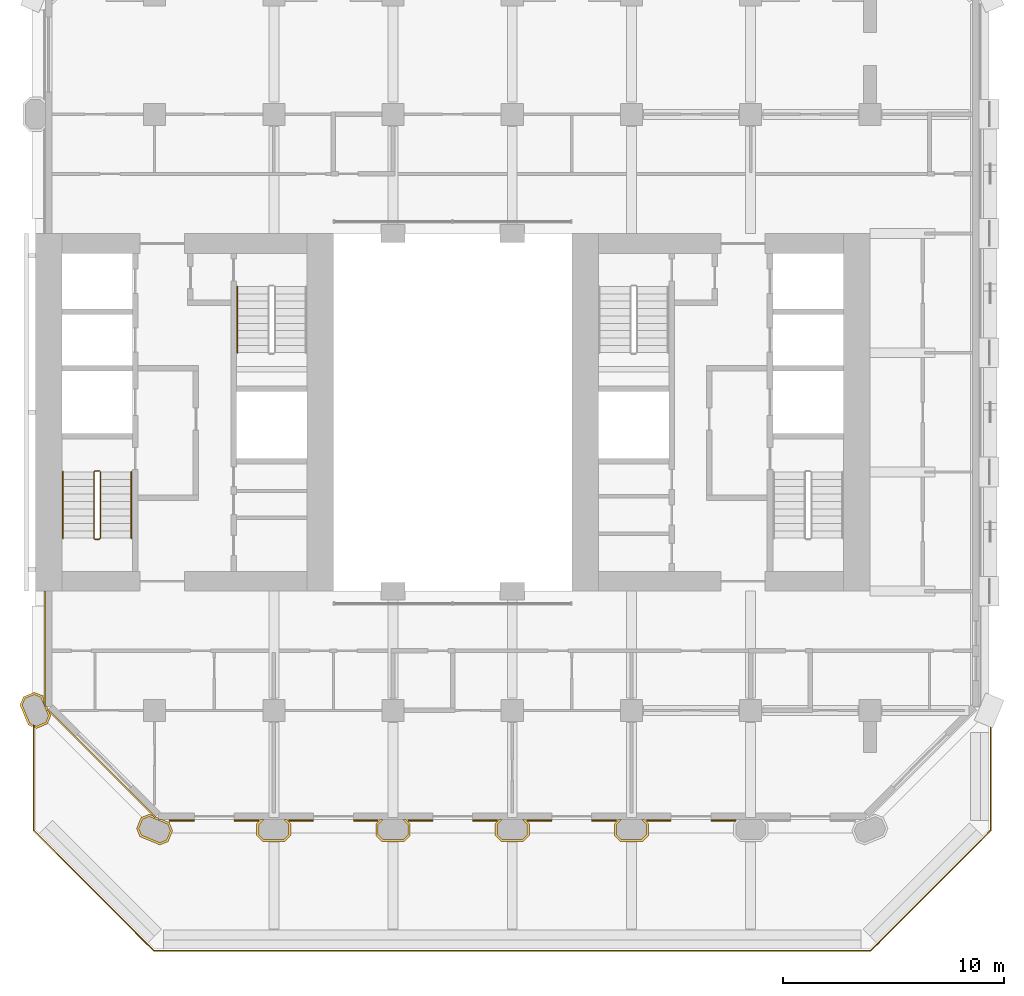
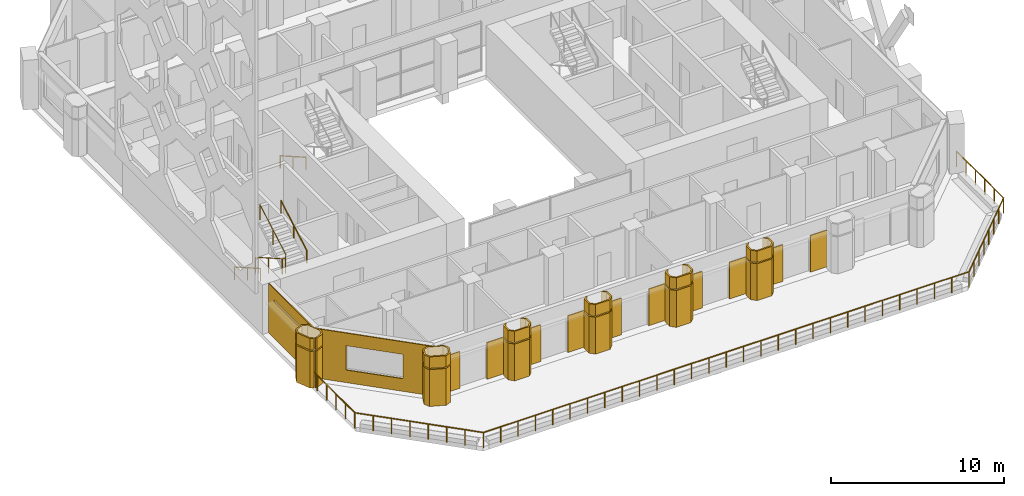
# One storey, part 14 of 16: 24 coverings, 5 railings.
"""IFC4 building model written with IfcOpenShell, lengths in metres."""

import ifcopenshell
import ifcopenshell.guid

model = None  # the IFC model being written
_history = None  # IfcOwnerHistory: only IFC2X3 demands one
_inside = {}  # id of a spatial element -> (the spatial element, [elements in it])
_under = {}  # id of a project, library or spatial element -> (it, [spatial elements below it])
_declared = {}  # id of a project -> (the project, [libraries it declares])
_typed = {}  # id of a type object -> (the type object, [elements of that type])
_made_of = {}  # id of a material, layer set ... -> (it, [elements and type objects made of it])


def new_model(schema):
    """Start an empty IFC model of exactly this schema.

    Asked for "IFC4X3", IfcOpenShell would pick the latest addendum, in which some entities
    have other attributes; the version numbers below select the first issue.
    IFC2X3 requires an IfcOwnerHistory on every rooted entity: one is made here for all.
    """
    global model, _history
    if schema == "IFC4X3":
        model = ifcopenshell.file(schema_version=(4, 3, 0, 0))
    else:
        model = ifcopenshell.file(schema=schema)
    _inside.clear()
    _under.clear()
    _declared.clear()
    _typed.clear()
    _made_of.clear()
    _history = None
    if model.schema == "IFC2X3":
        org = make("IfcOrganization", Name="unknown")
        user = make(
            "IfcPersonAndOrganization",
            ThePerson=make("IfcPerson", FamilyName="unknown"),
            TheOrganization=org,
        )
        app = make(
            "IfcApplication",
            ApplicationDeveloper=org,
            Version="unknown",
            ApplicationFullName="unknown",
            ApplicationIdentifier="unknown",
        )
        _history = make(
            "IfcOwnerHistory",
            OwningUser=user,
            OwningApplication=app,
            ChangeAction="ADDED",
            CreationDate=0,
        )
    return model


def make(cls, **values):
    """One entity of the class cls with the attributes given. An attribute that is None is left unset."""
    return model.create_entity(
        cls, **{name: value for name, value in values.items() if value is not None}
    )


def rooted(cls, **values):
    """An entity with a GlobalId (a new one), such as an element, a storey or a relation."""
    return make(cls, GlobalId=ifcopenshell.guid.new(), OwnerHistory=_history, **values)


def si_unit(unit_type, name, prefix=None):
    """IfcSIUnit, for example si_unit("LENGTHUNIT", "METRE", prefix="MILLI")."""
    return make("IfcSIUnit", UnitType=unit_type, Prefix=prefix, Name=name)


def assignment(units):
    """IfcUnitAssignment: the units of a project."""
    return None if units is None else make("IfcUnitAssignment", Units=units)


def point(xyz):
    """IfcCartesianPoint."""
    return None if xyz is None else make("IfcCartesianPoint", Coordinates=xyz)


def direction(xyz):
    """IfcDirection."""
    return None if xyz is None else make("IfcDirection", DirectionRatios=xyz)


def frame(location, z_axis=None, x_axis=None):
    """IfcAxis2Placement3D, a coordinate frame: its origin and axes. An axis left out is left unset."""
    return make(
        "IfcAxis2Placement3D",
        Location=point(location),
        Axis=direction(z_axis),
        RefDirection=direction(x_axis),
    )


def frame_2d(location, x_axis=None):
    """IfcAxis2Placement2D, a coordinate frame in the plane: its origin and x axis."""
    return make(
        "IfcAxis2Placement2D", Location=point(location), RefDirection=direction(x_axis)
    )


def origin():
    """The frame at (0, 0, 0) with its axes left unset."""
    return frame((0.0, 0.0, 0.0))


def origin_2d():
    """The frame at (0, 0) in the plane with its x axis left unset."""
    return frame_2d((0.0, 0.0))


def place(relative_to, where):
    """IfcLocalPlacement: puts the frame where relative to a parent placement (None: the world)."""
    return make(
        "IfcLocalPlacement", PlacementRelTo=relative_to, RelativePlacement=where
    )


def context(
    kind, dimensions, precision=None, world=None, true_north=None, identifier=None
):
    """IfcGeometricRepresentationContext, for example the 3D "Model" context."""
    return make(
        "IfcGeometricRepresentationContext",
        ContextIdentifier=identifier,
        ContextType=kind,
        CoordinateSpaceDimension=dimensions,
        Precision=precision,
        WorldCoordinateSystem=world,
        TrueNorth=true_north,
    )


def subcontext(parent, identifier, kind, view, scale=None):
    """IfcGeometricRepresentationSubContext, for example "Body" below "Model"."""
    return make(
        "IfcGeometricRepresentationSubContext",
        ContextIdentifier=identifier,
        ContextType=kind,
        ParentContext=parent,
        TargetScale=scale,
        TargetView=view,
    )


def project(units=None, contexts=None):
    """IfcProject with its units and contexts."""
    return rooted(
        "IfcProject",
        Name="project",
        RepresentationContexts=contexts,
        UnitsInContext=assignment(units),
    )


def spatial(cls, under=None, at=None, **own):
    """A site, building, storey or space (cls), placed at a placement, below another one or the project."""
    s = rooted(cls, ObjectPlacement=at, **own)
    if under is not None:
        _under.setdefault(under.id(), (under, []))[1].append(s)
    return s


def polyline(points):
    """IfcPolyline through the points."""
    return make("IfcPolyline", Points=[point(p) for p in points])


def profile(cls, at=None, kind="AREA", **sizes):
    """A parametric profile (cls). Its sizes go by their IFC names, for example OverallWidth=200.0."""
    return make(cls, ProfileType=kind, Position=at, **sizes)


def rectangle(**sizes):
    """IfcRectangleProfileDef."""
    return profile("IfcRectangleProfileDef", **sizes)


def circle(**sizes):
    """IfcCircleProfileDef."""
    return profile("IfcCircleProfileDef", **sizes)


def outline(outer, holes=None, kind="AREA"):
    """IfcArbitraryClosedProfileDef: a profile drawn as a closed curve; with holes, ...WithVoids."""
    if holes is None:
        return make("IfcArbitraryClosedProfileDef", ProfileType=kind, OuterCurve=outer)
    return make(
        "IfcArbitraryProfileDefWithVoids",
        ProfileType=kind,
        OuterCurve=outer,
        InnerCurves=holes,
    )


def extrude(swept, where, along, depth):
    """IfcExtrudedAreaSolid: the profile swept, set in the frame where, extruded along a direction by depth."""
    return make(
        "IfcExtrudedAreaSolid",
        SweptArea=swept,
        Position=where,
        ExtrudedDirection=direction(along),
        Depth=depth,
    )


def shape(context_of_items, identifier, shape_type, items):
    """IfcShapeRepresentation: the items that make up one representation, for example the "Body"."""
    return make(
        "IfcShapeRepresentation",
        ContextOfItems=context_of_items,
        RepresentationIdentifier=identifier,
        RepresentationType=shape_type,
        Items=items,
    )


def material(Name=None, Category=None):
    """IfcMaterial."""
    return make("IfcMaterial", Name=Name, Category=Category)


def layer(
    of_material, thickness, ventilated=None, Name=None, Category=None, Priority=None
):
    """IfcMaterialLayer: one layer of a wall or slab, of a material (None: an air gap)."""
    return make(
        "IfcMaterialLayer",
        Material=of_material,
        LayerThickness=thickness,
        IsVentilated=ventilated,
        Name=Name,
        Category=Category,
        Priority=Priority,
    )


def layer_set(layers, Name=None):
    """IfcMaterialLayerSet."""
    return make("IfcMaterialLayerSet", MaterialLayers=layers, LayerSetName=Name)


def made_of(thing, what):
    """Note that an element or type object is made of a material, layer set ...; save() writes the relation."""
    if what is not None:
        _made_of.setdefault(what.id(), (what, []))[1].append(thing)
    return thing


def type_object(cls, material=None, **own):
    """A type object (cls), such as IfcWallType, which elements share."""
    return made_of(rooted(cls, **own), material)


def element(
    cls,
    number,
    at=None,
    inside=None,
    cuts=None,
    type_object=None,
    material=None,
    context=None,
    identifier="Body",
    shape_type=None,
    held_by="IfcProductDefinitionShape",
    body=None,
    shapes=None,
    **own,
):
    """One element of the class cls, such as IfcWall. Its Tag is "e" and its number.

    at: its placement. inside: the storey or other place that contains it. cuts: it is an
    opening in that element (IfcRelVoidsElement). A single representation is given by context,
    identifier, shape_type and body (its items); several are given by shapes. held_by: the class
    of the entity that holds the representations. save() writes the other relations.
    """
    e = rooted(cls, Tag="e%d" % number, ObjectPlacement=at, **own)
    if body is not None:
        shapes = [shape(context, identifier, shape_type, body)]
    if shapes is not None:
        e.Representation = make(held_by, Representations=shapes)
    if inside is not None:
        _inside.setdefault(inside.id(), (inside, []))[1].append(e)
    if cuts is not None:
        rooted(
            "IfcRelVoidsElement", RelatingBuildingElement=cuts, RelatedOpeningElement=e
        )
    if type_object is not None:
        _typed.setdefault(type_object.id(), (type_object, []))[1].append(e)
    return made_of(e, material)


def aggregate(whole, parts):
    """IfcRelAggregates: a whole, such as a stair, and the parts it consists of."""
    return rooted("IfcRelAggregates", RelatingObject=whole, RelatedObjects=parts)


def save(model, path):
    """Write the relations noted so far, then the file.

    IfcRelAggregates (storeys below a building ...), IfcRelContainedInSpatialStructure (elements
    in a storey), IfcRelDefinesByType, IfcRelAssociatesMaterial and IfcRelDeclares: one each for
    every whole, place, type object, material and project.
    """
    for whole, parts in _under.values():
        aggregate(whole, parts)
    for where, things in _inside.values():
        rooted(
            "IfcRelContainedInSpatialStructure",
            RelatedElements=things,
            RelatingStructure=where,
        )
    for kind, things in _typed.values():
        rooted("IfcRelDefinesByType", RelatedObjects=things, RelatingType=kind)
    for what, things in _made_of.values():
        rooted("IfcRelAssociatesMaterial", RelatedObjects=things, RelatingMaterial=what)
    for by, libraries in _declared.values():
        rooted("IfcRelDeclares", RelatingContext=by, RelatedDefinitions=libraries)
    model.write(path)


model = new_model("IFC4")

# Units and contexts
model_context = context("Model", 3, precision=1e-05, world=origin(), true_north=direction((0.0, 1.0)))
body_context = subcontext(model_context, "Body", "Model", "MODEL_VIEW")
ifc_project = project(units=[si_unit("LENGTHUNIT", "METRE"), si_unit("AREAUNIT", "SQUARE_METRE"), si_unit("VOLUMEUNIT", "CUBIC_METRE"), si_unit("PLANEANGLEUNIT", "RADIAN"), si_unit("MASSUNIT", "GRAM", prefix="KILO")], contexts=[model_context])

# Site, building, storey
site_placement = place(None, origin())
site = spatial("IfcSite", under=ifc_project, at=site_placement, CompositionType="ELEMENT")
building_placement = place(site_placement, origin())
building = spatial("IfcBuilding", under=site, at=building_placement, Name="Tabaq Tower and Sports Hall", CompositionType="ELEMENT")
storey_placement = place(building_placement, frame((0.0, 0.0, 65.0)))
storey = spatial("IfcBuildingStorey", under=building, at=storey_placement, Name="L14", CompositionType="ELEMENT", Elevation=65.0)

# Coverings
ifc_material_1 = material(Name="Precast concrete C60/75", Category="concrete")
ifc_layer_1 = layer(ifc_material_1, 0.10009765625)
ifc_layer_set_1 = layer_set([ifc_layer_1], Name="Column cladding 100")
covering_type_1 = type_object("IfcCoveringType", Name="Column cladding 100", PredefinedType="CLADDING", material=ifc_layer_set_1)
covering_1_placement = place(storey_placement, origin())
element("IfcCovering", 1, at=covering_1_placement, inside=storey, type_object=covering_type_1, Name="Column cladding L14 PC-2C-O2", PredefinedType="CLADDING", context=body_context, shape_type="SweptSolid", body=[
    extrude(outline(polyline([(5.450439453125, 9.982421875), (5.3603515625, 10.019775390625), (5.3603515625, 10.127197265625), (5.450439453125, 10.08984375), (5.866455078125, 10.26220703125), (5.98828125, 10.556396484375), (5.643798828125, 11.38818359375), (5.349609375, 11.510009765625), (4.93359375, 11.337646484375), (4.811767578125, 11.04345703125), (5.15625, 10.2119140625), (5.27978515625, 10.16064453125), (5.27978515625, 10.052978515625), (5.080078125, 10.1357421875), (4.7041015625, 11.04345703125), (4.857421875, 11.413818359375), (5.349609375, 11.61767578125), (5.7197265625, 11.46435546875), (5.789794921875, 11.295654296875), (5.789794921875, 11.04296875), (5.849609375, 11.04296875), (5.849609375, 10.986083984375), (5.91796875, 10.986083984375), (5.9814453125, 10.83251953125), (5.9501953125, 10.801025390625), (6.026123046875, 10.72509765625), (6.095947265625, 10.556396484375), (5.9423828125, 10.186279296875), (5.450439453125, 9.982421875)])), origin(), (0.0, 0.0, 1.0), 2.60009765625),
])
covering_2_placement = place(storey_placement, frame((0.0, 0.0, 2.699951171875)))
element("IfcCovering", 2, at=covering_2_placement, inside=storey, type_object=covering_type_1, Name="Column cladding L14 PC-2C-O2 2", PredefinedType="CLADDING", context=body_context, shape_type="SweptSolid", body=[
    extrude(outline(polyline([(5.450439453125, 9.982421875), (5.3603515625, 10.019775390625), (5.3603515625, 10.127197265625), (5.450439453125, 10.08984375), (5.866455078125, 10.26220703125), (5.98828125, 10.556396484375), (5.643798828125, 11.38818359375), (5.349609375, 11.510009765625), (4.93359375, 11.337646484375), (4.811767578125, 11.04345703125), (5.15625, 10.2119140625), (5.27978515625, 10.16064453125), (5.27978515625, 10.052978515625), (5.080078125, 10.1357421875), (4.7041015625, 11.04345703125), (4.857421875, 11.413818359375), (5.349609375, 11.61767578125), (5.7197265625, 11.46435546875), (5.789794921875, 11.295654296875), (5.789794921875, 11.04296875), (5.849609375, 11.04296875), (5.849609375, 10.986083984375), (5.91796875, 10.986083984375), (5.9814453125, 10.83251953125), (5.9501953125, 10.801025390625), (6.026123046875, 10.72509765625), (6.095947265625, 10.556396484375), (5.9423828125, 10.186279296875), (5.450439453125, 9.982421875)])), origin(), (0.0, 0.0, 1.0), 0.800048828125),
])
covering_3_placement = place(storey_placement, origin())
element("IfcCovering", 3, at=covering_3_placement, inside=storey, type_object=covering_type_1, Name="Column cladding L14 PC-3B-O2", PredefinedType="CLADDING", context=body_context, shape_type="SweptSolid", body=[
    extrude(outline(polyline([(11.413818359375, 4.857421875), (11.04345703125, 4.7041015625), (10.1357421875, 5.080078125), (9.982421875, 5.450439453125), (10.186279296875, 5.9423828125), (10.556396484375, 6.095947265625), (10.72509765625, 6.026123046875), (10.801025390625, 5.9501953125), (10.83251953125, 5.9814453125), (10.986083984375, 5.91796875), (10.986083984375, 5.849609375), (11.15087890625, 5.849609375), (11.46435546875, 5.7197265625), (11.61767578125, 5.349609375), (11.413818359375, 4.857421875)]), holes=[polyline([(10.26220703125, 5.866455078125), (10.08984375, 5.450439453125), (10.2119140625, 5.15625), (11.04345703125, 4.811767578125), (11.337646484375, 4.93359375), (11.510009765625, 5.349609375), (11.38818359375, 5.643798828125), (10.556396484375, 5.98828125), (10.26220703125, 5.866455078125)])]), origin(), (0.0, 0.0, 1.0), 2.60009765625),
])
covering_4_placement = place(storey_placement, frame((0.0, 0.0, 2.699951171875)))
element("IfcCovering", 4, at=covering_4_placement, inside=storey, type_object=covering_type_1, Name="Column cladding L14 PC-3B-O2 2", PredefinedType="CLADDING", context=body_context, shape_type="SweptSolid", body=[
    extrude(outline(polyline([(11.413818359375, 4.857421875), (11.04345703125, 4.7041015625), (10.1357421875, 5.080078125), (9.982421875, 5.450439453125), (10.186279296875, 5.9423828125), (10.556396484375, 6.095947265625), (10.72509765625, 6.026123046875), (10.801025390625, 5.9501953125), (10.83251953125, 5.9814453125), (10.986083984375, 5.91796875), (10.986083984375, 5.849609375), (11.15087890625, 5.849609375), (11.46435546875, 5.7197265625), (11.61767578125, 5.349609375), (11.413818359375, 4.857421875)]), holes=[polyline([(10.26220703125, 5.866455078125), (10.08984375, 5.450439453125), (10.2119140625, 5.15625), (11.04345703125, 4.811767578125), (11.337646484375, 4.93359375), (11.510009765625, 5.349609375), (11.38818359375, 5.643798828125), (10.556396484375, 5.98828125), (10.26220703125, 5.866455078125)])]), origin(), (0.0, 0.0, 1.0), 0.800048828125),
])
covering_5_placement = place(storey_placement, origin())
element("IfcCovering", 5, at=covering_5_placement, inside=storey, type_object=covering_type_1, Name="Column cladding L14 PC-4B-O2", PredefinedType="CLADDING", context=body_context, shape_type="SweptSolid", body=[
    extrude(outline(polyline([(15.42529296875, 5.666259765625), (15.608642578125, 5.849609375), (15.749267578125, 5.849609375), (15.524658203125, 5.625244140625), (15.524658203125, 5.1748046875), (15.749755859375, 4.94970703125), (16.650146484375, 4.94970703125), (16.875244140625, 5.1748046875), (16.875244140625, 5.625244140625), (16.650634765625, 5.849609375), (16.791259765625, 5.849609375), (16.974609375, 5.666259765625), (16.974609375, 5.1337890625), (16.69140625, 4.850341796875), (15.708740234375, 4.850341796875), (15.42529296875, 5.1337890625), (15.42529296875, 5.666259765625)])), origin(), (0.0, 0.0, 1.0), 2.60009765625),
])
covering_6_placement = place(storey_placement, frame((0.0, 0.0, 2.699951171875)))
element("IfcCovering", 6, at=covering_6_placement, inside=storey, type_object=covering_type_1, Name="Column cladding L14 PC-4B-O2 2", PredefinedType="CLADDING", context=body_context, shape_type="SweptSolid", body=[
    extrude(outline(polyline([(15.42529296875, 5.666259765625), (15.608642578125, 5.849609375), (15.749267578125, 5.849609375), (15.524658203125, 5.625244140625), (15.524658203125, 5.1748046875), (15.749755859375, 4.94970703125), (16.650146484375, 4.94970703125), (16.875244140625, 5.1748046875), (16.875244140625, 5.625244140625), (16.650634765625, 5.849609375), (16.791259765625, 5.849609375), (16.974609375, 5.666259765625), (16.974609375, 5.1337890625), (16.69140625, 4.850341796875), (15.708740234375, 4.850341796875), (15.42529296875, 5.1337890625), (15.42529296875, 5.666259765625)])), origin(), (0.0, 0.0, 1.0), 0.800048828125),
])
covering_7_placement = place(storey_placement, origin())
element("IfcCovering", 7, at=covering_7_placement, inside=storey, type_object=covering_type_1, Name="Column cladding L14 PC-5B-O2", PredefinedType="CLADDING", context=body_context, shape_type="SweptSolid", body=[
    extrude(outline(polyline([(20.8251953125, 5.666259765625), (21.0087890625, 5.849609375), (21.149169921875, 5.849609375), (20.9248046875, 5.625244140625), (20.9248046875, 5.1748046875), (21.14990234375, 4.94970703125), (22.050048828125, 4.94970703125), (22.275390625, 5.1748046875), (22.275390625, 5.625244140625), (22.05078125, 5.849609375), (22.19140625, 5.849609375), (22.374755859375, 5.666259765625), (22.374755859375, 5.1337890625), (22.09130859375, 4.850341796875), (21.108642578125, 4.850341796875), (20.8251953125, 5.1337890625), (20.8251953125, 5.666259765625)])), origin(), (0.0, 0.0, 1.0), 2.60009765625),
])
covering_8_placement = place(storey_placement, frame((0.0, 0.0, 2.699951171875)))
element("IfcCovering", 8, at=covering_8_placement, inside=storey, type_object=covering_type_1, Name="Column cladding L14 PC-5B-O2 2", PredefinedType="CLADDING", context=body_context, shape_type="SweptSolid", body=[
    extrude(outline(polyline([(20.8251953125, 5.666259765625), (21.0087890625, 5.849609375), (21.149169921875, 5.849609375), (20.9248046875, 5.625244140625), (20.9248046875, 5.1748046875), (21.14990234375, 4.94970703125), (22.050048828125, 4.94970703125), (22.275390625, 5.1748046875), (22.275390625, 5.625244140625), (22.05078125, 5.849609375), (22.19140625, 5.849609375), (22.374755859375, 5.666259765625), (22.374755859375, 5.1337890625), (22.09130859375, 4.850341796875), (21.108642578125, 4.850341796875), (20.8251953125, 5.1337890625), (20.8251953125, 5.666259765625)])), origin(), (0.0, 0.0, 1.0), 0.800048828125),
])
covering_9_placement = place(storey_placement, origin())
element("IfcCovering", 9, at=covering_9_placement, inside=storey, type_object=covering_type_1, Name="Column cladding L14 PC-6B-O2", PredefinedType="CLADDING", context=body_context, shape_type="SweptSolid", body=[
    extrude(outline(polyline([(26.225341796875, 5.666259765625), (26.40869140625, 5.849609375), (26.54931640625, 5.849609375), (26.32470703125, 5.625244140625), (26.32470703125, 5.1748046875), (26.5498046875, 4.94970703125), (27.4501953125, 4.94970703125), (27.67529296875, 5.1748046875), (27.67529296875, 5.625244140625), (27.45068359375, 5.849609375), (27.59130859375, 5.849609375), (27.774658203125, 5.666259765625), (27.774658203125, 5.1337890625), (27.4912109375, 4.850341796875), (26.5087890625, 4.850341796875), (26.225341796875, 5.1337890625), (26.225341796875, 5.666259765625)])), origin(), (0.0, 0.0, 1.0), 2.60009765625),
])
covering_10_placement = place(storey_placement, frame((0.0, 0.0, 2.699951171875)))
element("IfcCovering", 10, at=covering_10_placement, inside=storey, type_object=covering_type_1, Name="Column cladding L14 PC-6B-O2 2", PredefinedType="CLADDING", context=body_context, shape_type="SweptSolid", body=[
    extrude(outline(polyline([(26.225341796875, 5.666259765625), (26.40869140625, 5.849609375), (26.54931640625, 5.849609375), (26.32470703125, 5.625244140625), (26.32470703125, 5.1748046875), (26.5498046875, 4.94970703125), (27.4501953125, 4.94970703125), (27.67529296875, 5.1748046875), (27.67529296875, 5.625244140625), (27.45068359375, 5.849609375), (27.59130859375, 5.849609375), (27.774658203125, 5.666259765625), (27.774658203125, 5.1337890625), (27.4912109375, 4.850341796875), (26.5087890625, 4.850341796875), (26.225341796875, 5.1337890625), (26.225341796875, 5.666259765625)])), origin(), (0.0, 0.0, 1.0), 0.800048828125),
])
covering_11_placement = place(storey_placement, origin())
element("IfcCovering", 11, at=covering_11_placement, inside=storey, type_object=covering_type_1, Name="Column cladding L14 PC-7B-O2", PredefinedType="CLADDING", context=body_context, shape_type="SweptSolid", body=[
    extrude(outline(polyline([(31.625244140625, 5.666259765625), (31.80859375, 5.849609375), (31.94921875, 5.849609375), (31.724609375, 5.625244140625), (31.724609375, 5.1748046875), (31.949951171875, 4.94970703125), (32.85009765625, 4.94970703125), (33.0751953125, 5.1748046875), (33.0751953125, 5.625244140625), (32.850830078125, 5.849609375), (32.9912109375, 5.849609375), (33.1748046875, 5.666259765625), (33.1748046875, 5.1337890625), (32.891357421875, 4.850341796875), (31.90869140625, 4.850341796875), (31.625244140625, 5.1337890625), (31.625244140625, 5.666259765625)])), origin(), (0.0, 0.0, 1.0), 2.60009765625),
])
covering_12_placement = place(storey_placement, frame((0.0, 0.0, 2.699951171875)))
element("IfcCovering", 12, at=covering_12_placement, inside=storey, type_object=covering_type_1, Name="Column cladding L14 PC-7B-O2 2", PredefinedType="CLADDING", context=body_context, shape_type="SweptSolid", body=[
    extrude(outline(polyline([(31.625244140625, 5.666259765625), (31.80859375, 5.849609375), (31.94921875, 5.849609375), (31.724609375, 5.625244140625), (31.724609375, 5.1748046875), (31.949951171875, 4.94970703125), (32.85009765625, 4.94970703125), (33.0751953125, 5.1748046875), (33.0751953125, 5.625244140625), (32.850830078125, 5.849609375), (32.9912109375, 5.849609375), (33.1748046875, 5.666259765625), (33.1748046875, 5.1337890625), (32.891357421875, 4.850341796875), (31.90869140625, 4.850341796875), (31.625244140625, 5.1337890625), (31.625244140625, 5.666259765625)])), origin(), (0.0, 0.0, 1.0), 0.800048828125),
])

# Railings
ifc_material_2 = material(Name="Stainless steel S316 and laminated glass", Category="steel")
railing_type_1 = type_object("IfcRailingType", Name="Guard 1100 steel and glass", PredefinedType="GUARDRAIL", material=ifc_material_2)
railing_1_placement = place(storey_placement, frame((48.679931640625, 10.800048828125, 0.0)))
element("IfcRailing", 13, at=railing_1_placement, inside=storey, type_object=railing_type_1, Name="Terrace guard L14", PredefinedType="GUARDRAIL", context=body_context, shape_type="SweptSolid", body=[
    extrude(circle(Radius=0.02490234375, at=origin_2d()), frame((0.0, 0.0, 1.0751953125), z_axis=(0.0, -1.0, 0.0), x_axis=(1.0, 0.0, 0.0)), (0.0, 0.0, 1.0), 5.43310546875),
    extrude(circle(Radius=0.02490234375, at=origin_2d()), frame((0.0, -5.43310546875, 1.0751953125), z_axis=(-0.707090934058, -0.70712262796, 0.0), x_axis=(0.70712262796, -0.707090934058, 0.0)), (0.0, 0.0, 1.0), 7.703125),
    extrude(circle(Radius=0.02490234375, at=origin_2d()), frame((-5.44677734375, -10.880126953125, 1.0751953125), z_axis=(-1.0, 0.0, 0.0), x_axis=(0.0, -1.0, 0.0)), (0.0, 0.0, 1.0), 32.46630859375),
    extrude(circle(Radius=0.02490234375, at=origin_2d()), frame((-37.9130859375, -10.880126953125, 1.0751953125), z_axis=(-0.707090934058, 0.70712262796, 0.0), x_axis=(-0.70712262796, -0.707090934058, 0.0)), (0.0, 0.0, 1.0), 7.703125),
    extrude(circle(Radius=0.02490234375, at=origin_2d()), frame((-43.35986328125, -5.43310546875, 1.0751953125), z_axis=(0.0, 1.0, 0.0), x_axis=(-1.0, 0.0, 0.0)), (0.0, 0.0, 1.0), 5.43310546875),
    extrude(circle(Radius=0.02001953125, at=origin_2d()), origin(), (0.0, 0.0, 1.0), 1.050048828125),
    extrude(circle(Radius=0.02001953125, at=origin_2d()), frame((0.0, -1.086669921875, 0.0)), (0.0, 0.0, 1.0), 1.050048828125),
    extrude(circle(Radius=0.02001953125, at=origin_2d()), frame((0.0, -2.17333984375, 0.0)), (0.0, 0.0, 1.0), 1.050048828125),
    extrude(circle(Radius=0.02001953125, at=origin_2d()), frame((0.0, -3.259765625, 0.0)), (0.0, 0.0, 1.0), 1.050048828125),
    extrude(circle(Radius=0.02001953125, at=origin_2d()), frame((0.0, -4.346435546875, 0.0)), (0.0, 0.0, 1.0), 1.050048828125),
    extrude(circle(Radius=0.02001953125, at=origin_2d()), frame((0.0, -5.43310546875, 0.0)), (0.0, 0.0, 1.0), 1.050048828125),
    extrude(circle(Radius=0.02001953125, at=origin_2d()), frame((-0.778076171875, -6.211181640625, 0.0)), (0.0, 0.0, 1.0), 1.050048828125),
    extrude(circle(Radius=0.02001953125, at=origin_2d()), frame((-1.55615234375, -6.989501953125, 0.0)), (0.0, 0.0, 1.0), 1.050048828125),
    extrude(circle(Radius=0.02001953125, at=origin_2d()), frame((-2.334228515625, -7.767578125, 0.0)), (0.0, 0.0, 1.0), 1.050048828125),
    extrude(circle(Radius=0.02001953125, at=origin_2d()), frame((-3.112548828125, -8.545654296875, 0.0)), (0.0, 0.0, 1.0), 1.050048828125),
    extrude(circle(Radius=0.02001953125, at=origin_2d()), frame((-3.890625, -9.32373046875, 0.0)), (0.0, 0.0, 1.0), 1.050048828125),
    extrude(circle(Radius=0.02001953125, at=origin_2d()), frame((-4.668701171875, -10.10205078125, 0.0)), (0.0, 0.0, 1.0), 1.050048828125),
    extrude(circle(Radius=0.02001953125, at=origin_2d()), frame((-5.44677734375, -10.880126953125, 0.0)), (0.0, 0.0, 1.0), 1.050048828125),
    extrude(circle(Radius=0.02001953125, at=origin_2d()), frame((-6.606201171875, -10.880126953125, 0.0)), (0.0, 0.0, 1.0), 1.050048828125),
    extrude(circle(Radius=0.02001953125, at=origin_2d()), frame((-7.765869140625, -10.880126953125, 0.0)), (0.0, 0.0, 1.0), 1.050048828125),
    extrude(circle(Radius=0.02001953125, at=origin_2d()), frame((-8.92529296875, -10.880126953125, 0.0)), (0.0, 0.0, 1.0), 1.050048828125),
    extrude(circle(Radius=0.02001953125, at=origin_2d()), frame((-10.084716796875, -10.880126953125, 0.0)), (0.0, 0.0, 1.0), 1.050048828125),
    extrude(circle(Radius=0.02001953125, at=origin_2d()), frame((-11.244384765625, -10.880126953125, 0.0)), (0.0, 0.0, 1.0), 1.050048828125),
    extrude(circle(Radius=0.02001953125, at=origin_2d()), frame((-12.40380859375, -10.880126953125, 0.0)), (0.0, 0.0, 1.0), 1.050048828125),
    extrude(circle(Radius=0.02001953125, at=origin_2d()), frame((-13.5634765625, -10.880126953125, 0.0)), (0.0, 0.0, 1.0), 1.050048828125),
    extrude(circle(Radius=0.02001953125, at=origin_2d()), frame((-14.722900390625, -10.880126953125, 0.0)), (0.0, 0.0, 1.0), 1.050048828125),
    extrude(circle(Radius=0.02001953125, at=origin_2d()), frame((-15.88232421875, -10.880126953125, 0.0)), (0.0, 0.0, 1.0), 1.050048828125),
    extrude(circle(Radius=0.02001953125, at=origin_2d()), frame((-17.0419921875, -10.880126953125, 0.0)), (0.0, 0.0, 1.0), 1.050048828125),
    extrude(circle(Radius=0.02001953125, at=origin_2d()), frame((-18.201416015625, -10.880126953125, 0.0)), (0.0, 0.0, 1.0), 1.050048828125),
    extrude(circle(Radius=0.02001953125, at=origin_2d()), frame((-19.36083984375, -10.880126953125, 0.0)), (0.0, 0.0, 1.0), 1.050048828125),
    extrude(circle(Radius=0.02001953125, at=origin_2d()), frame((-20.5205078125, -10.880126953125, 0.0)), (0.0, 0.0, 1.0), 1.050048828125),
    extrude(circle(Radius=0.02001953125, at=origin_2d()), frame((-21.679931640625, -10.880126953125, 0.0)), (0.0, 0.0, 1.0), 1.050048828125),
    extrude(circle(Radius=0.02001953125, at=origin_2d()), frame((-22.83935546875, -10.880126953125, 0.0)), (0.0, 0.0, 1.0), 1.050048828125),
    extrude(circle(Radius=0.02001953125, at=origin_2d()), frame((-23.9990234375, -10.880126953125, 0.0)), (0.0, 0.0, 1.0), 1.050048828125),
    extrude(circle(Radius=0.02001953125, at=origin_2d()), frame((-25.158447265625, -10.880126953125, 0.0)), (0.0, 0.0, 1.0), 1.050048828125),
    extrude(circle(Radius=0.02001953125, at=origin_2d()), frame((-26.31787109375, -10.880126953125, 0.0)), (0.0, 0.0, 1.0), 1.050048828125),
    extrude(circle(Radius=0.02001953125, at=origin_2d()), frame((-27.4775390625, -10.880126953125, 0.0)), (0.0, 0.0, 1.0), 1.050048828125),
    extrude(circle(Radius=0.02001953125, at=origin_2d()), frame((-28.636962890625, -10.880126953125, 0.0)), (0.0, 0.0, 1.0), 1.050048828125),
    extrude(circle(Radius=0.02001953125, at=origin_2d()), frame((-29.79638671875, -10.880126953125, 0.0)), (0.0, 0.0, 1.0), 1.050048828125),
    extrude(circle(Radius=0.02001953125, at=origin_2d()), frame((-30.9560546875, -10.880126953125, 0.0)), (0.0, 0.0, 1.0), 1.050048828125),
    extrude(circle(Radius=0.02001953125, at=origin_2d()), frame((-32.115478515625, -10.880126953125, 0.0)), (0.0, 0.0, 1.0), 1.050048828125),
    extrude(circle(Radius=0.02001953125, at=origin_2d()), frame((-33.275146484375, -10.880126953125, 0.0)), (0.0, 0.0, 1.0), 1.050048828125),
    extrude(circle(Radius=0.02001953125, at=origin_2d()), frame((-34.4345703125, -10.880126953125, 0.0)), (0.0, 0.0, 1.0), 1.050048828125),
    extrude(circle(Radius=0.02001953125, at=origin_2d()), frame((-35.593994140625, -10.880126953125, 0.0)), (0.0, 0.0, 1.0), 1.050048828125),
    extrude(circle(Radius=0.02001953125, at=origin_2d()), frame((-36.753662109375, -10.880126953125, 0.0)), (0.0, 0.0, 1.0), 1.050048828125),
    extrude(circle(Radius=0.02001953125, at=origin_2d()), frame((-37.9130859375, -10.880126953125, 0.0)), (0.0, 0.0, 1.0), 1.050048828125),
    extrude(circle(Radius=0.02001953125, at=origin_2d()), frame((-38.691162109375, -10.10205078125, 0.0)), (0.0, 0.0, 1.0), 1.050048828125),
    extrude(circle(Radius=0.02001953125, at=origin_2d()), frame((-39.46923828125, -9.32373046875, 0.0)), (0.0, 0.0, 1.0), 1.050048828125),
    extrude(circle(Radius=0.02001953125, at=origin_2d()), frame((-40.247314453125, -8.545654296875, 0.0)), (0.0, 0.0, 1.0), 1.050048828125),
    extrude(circle(Radius=0.02001953125, at=origin_2d()), frame((-41.025634765625, -7.767578125, 0.0)), (0.0, 0.0, 1.0), 1.050048828125),
    extrude(circle(Radius=0.02001953125, at=origin_2d()), frame((-41.8037109375, -6.989501953125, 0.0)), (0.0, 0.0, 1.0), 1.050048828125),
    extrude(circle(Radius=0.02001953125, at=origin_2d()), frame((-42.581787109375, -6.211181640625, 0.0)), (0.0, 0.0, 1.0), 1.050048828125),
    extrude(circle(Radius=0.02001953125, at=origin_2d()), frame((-43.35986328125, -5.43310546875, 0.0)), (0.0, 0.0, 1.0), 1.050048828125),
    extrude(circle(Radius=0.02001953125, at=origin_2d()), frame((-43.35986328125, -4.346435546875, 0.0)), (0.0, 0.0, 1.0), 1.050048828125),
    extrude(circle(Radius=0.02001953125, at=origin_2d()), frame((-43.35986328125, -3.259765625, 0.0)), (0.0, 0.0, 1.0), 1.050048828125),
    extrude(circle(Radius=0.02001953125, at=origin_2d()), frame((-43.35986328125, -2.17333984375, 0.0)), (0.0, 0.0, 1.0), 1.050048828125),
    extrude(circle(Radius=0.02001953125, at=origin_2d()), frame((-43.35986328125, -1.086669921875, 0.0)), (0.0, 0.0, 1.0), 1.050048828125),
    extrude(circle(Radius=0.02001953125, at=origin_2d()), frame((-43.35986328125, 0.0, 0.0)), (0.0, 0.0, 1.0), 1.050048828125),
])
ifc_material_3 = material(Name="Stainless steel", Category="steel")
railing_type_2 = type_object("IfcRailingType", Name="Stair guard", PredefinedType="GUARDRAIL", material=ifc_material_3)
railing_2_placement = place(storey_placement, frame((8.300048828125, 21.64990234375, 0.0)))
element("IfcRailing", 14, at=railing_2_placement, inside=storey, type_object=railing_type_2, Name="L14 ST1 stair guard 1", PredefinedType="GUARDRAIL", context=body_context, shape_type="SweptSolid", body=[
    extrude(circle(Radius=0.02392578125, at=origin_2d()), frame((0.0, 0.0, 1.076171875), z_axis=(-1.0, 0.0, 0.0), x_axis=(0.0, -1.0, 0.0)), (0.0, 0.0, 1.0), 0.199951171875),
    extrude(circle(Radius=0.02392578125, at=origin_2d()), frame((-0.199951171875, 0.0, 1.076171875), z_axis=(-0.246983470365, -0.245778672949, 0.937332389972), x_axis=(0.705375805398, -0.708833529934, 0.0)), (0.0, 0.0, 1.0), 0.20263671875),
    extrude(circle(Radius=0.02392578125, at=origin_2d()), frame((-0.25, -0.0498046875, 1.26611328125), z_axis=(0.0, -0.868782136927, 0.495194505781), x_axis=(1.0, 0.0, 0.0)), (0.0, 0.0, 1.0), 3.453125),
    extrude(circle(Radius=0.02392578125, at=origin_2d()), frame((-0.25, -3.0498046875, 2.97607421875), z_axis=(0.707106781187, -0.707106781187, 0.0), x_axis=(0.707106781187, 0.707106781187, 0.0)), (0.0, 0.0, 1.0), 0.07080078125),
    extrude(circle(Radius=0.02392578125, at=origin_2d()), frame((-0.199951171875, -3.099853515625, 2.97607421875), z_axis=(1.0, 0.0, 0.0), x_axis=(0.0, 1.0, 0.0)), (0.0, 0.0, 1.0), 0.199951171875),
    extrude(circle(Radius=0.02392578125, at=origin_2d()), frame((0.0, -3.099853515625, 2.97607421875), z_axis=(0.246631811833, 0.246631811833, 0.937200884967), x_axis=(-0.707106781187, 0.707106781187, 0.0)), (0.0, 0.0, 1.0), 0.202880859375),
    extrude(circle(Radius=0.02392578125, at=origin_2d()), frame((0.050048828125, -3.0498046875, 3.166015625), z_axis=(0.0, 0.868782136927, 0.495194505781), x_axis=(-1.0, 0.0, 0.0)), (0.0, 0.0, 1.0), 3.453125),
    extrude(circle(Radius=0.02099609375, at=origin_2d()), origin(), (0.0, 0.0, 1.0), 1.052001953125),
    extrude(circle(Radius=0.02099609375, at=origin_2d()), frame((-0.199951171875, 0.0, 0.0)), (0.0, 0.0, 1.0), 1.052001953125),
    extrude(circle(Radius=0.02099609375, at=origin_2d()), frame((-0.25, -0.0498046875, 0.18994140625)), (0.0, 0.0, 1.0), 1.052001953125),
    extrude(circle(Radius=0.02099609375, at=origin_2d()), frame((-0.25, -1.5498046875, 1.044921875)), (0.0, 0.0, 1.0), 1.052001953125),
    extrude(circle(Radius=0.02099609375, at=origin_2d()), frame((-0.25, -3.0498046875, 1.89990234375)), (0.0, 0.0, 1.0), 1.052001953125),
    extrude(circle(Radius=0.02099609375, at=origin_2d()), frame((-0.199951171875, -3.099853515625, 1.89990234375)), (0.0, 0.0, 1.0), 1.052001953125),
    extrude(circle(Radius=0.02099609375, at=origin_2d()), frame((0.0, -3.099853515625, 1.89990234375)), (0.0, 0.0, 1.0), 1.052001953125),
    extrude(circle(Radius=0.02099609375, at=origin_2d()), frame((0.050048828125, -3.0498046875, 2.090087890625)), (0.0, 0.0, 1.0), 1.052001953125),
    extrude(circle(Radius=0.02099609375, at=origin_2d()), frame((0.050048828125, -1.5498046875, 2.945068359375)), (0.0, 0.0, 1.0), 1.052001953125),
    extrude(circle(Radius=0.02099609375, at=origin_2d()), frame((0.050048828125, -0.0498046875, 3.800048828125)), (0.0, 0.0, 1.0), 1.052001953125),
])
ifc_material_4 = material(Name="Stainless steel", Category="steel")
railing_type_3 = type_object("IfcRailingType", Name="Stair handrail", PredefinedType="HANDRAIL", material=ifc_material_4)
railing_3_placement = place(storey_placement, frame((6.64990234375, 21.60009765625, 0.18994140625)))
element("IfcRailing", 15, at=railing_3_placement, inside=storey, type_object=railing_type_3, Name="L14 ST1 stair handrail 1", PredefinedType="HANDRAIL", context=body_context, shape_type="SweptSolid", body=[
    extrude(circle(Radius=0.02392578125, at=origin_2d()), frame((0.0, 0.0, 0.8759765625), z_axis=(0.0, -0.868782136927, 0.495194505781), x_axis=(1.0, 0.0, 0.0)), (0.0, 0.0, 1.0), 3.453125),
    extrude(circle(Radius=0.02099609375, at=origin_2d()), origin(), (0.0, 0.0, 1.0), 0.851806640625),
    extrude(circle(Radius=0.02099609375, at=origin_2d()), frame((0.0, -1.5, 0.85498046875)), (0.0, 0.0, 1.0), 0.851806640625),
    extrude(circle(Radius=0.02099609375, at=origin_2d()), frame((0.0, -3.0, 1.7099609375)), (0.0, 0.0, 1.0), 0.851806640625),
])
railing_4_placement = place(storey_placement, frame((9.75, 18.60009765625, 2.090087890625)))
element("IfcRailing", 16, at=railing_4_placement, inside=storey, type_object=railing_type_3, Name="L14 ST1 stair handrail 2", PredefinedType="HANDRAIL", context=body_context, shape_type="SweptSolid", body=[
    extrude(circle(Radius=0.02392578125, at=origin_2d()), frame((0.0, 0.0, 0.8759765625), z_axis=(0.0, 0.868782136927, 0.495194505781), x_axis=(-1.0, 0.0, 0.0)), (0.0, 0.0, 1.0), 3.453125),
    extrude(circle(Radius=0.02099609375, at=origin_2d()), origin(), (0.0, 0.0, 1.0), 0.851806640625),
    extrude(circle(Radius=0.02099609375, at=origin_2d()), frame((0.0, 1.5, 0.85498046875)), (0.0, 0.0, 1.0), 0.851806640625),
    extrude(circle(Radius=0.02099609375, at=origin_2d()), frame((0.0, 3.0, 1.7099609375)), (0.0, 0.0, 1.0), 0.851806640625),
])
railing_5_placement = place(storey_placement, frame((14.550048828125, 30.0, 0.18994140625)))
element("IfcRailing", 17, at=railing_5_placement, inside=storey, type_object=railing_type_3, Name="L14 ST2 stair handrail 1", PredefinedType="HANDRAIL", context=body_context, shape_type="SweptSolid", body=[
    extrude(circle(Radius=0.02392578125, at=origin_2d()), frame((0.0, 0.0, 0.8759765625), z_axis=(0.0, -0.868782136927, 0.495194505781), x_axis=(1.0, 0.0, 0.0)), (0.0, 0.0, 1.0), 3.453125),
    extrude(circle(Radius=0.02099609375, at=origin_2d()), origin(), (0.0, 0.0, 1.0), 0.851806640625),
    extrude(circle(Radius=0.02099609375, at=origin_2d()), frame((0.0, -1.5, 0.85498046875)), (0.0, 0.0, 1.0), 0.851806640625),
    extrude(circle(Radius=0.02099609375, at=origin_2d()), frame((0.0, -3.0, 1.7099609375)), (0.0, 0.0, 1.0), 0.851806640625),
])

# Coverings
ifc_material_5 = material(Name="Precast concrete C60/75", Category="concrete")
ifc_layer_2 = layer(ifc_material_5, 0.06005859375)
ifc_layer_set_2 = layer_set([ifc_layer_2], Name="White precast cladding panel 60 C60/75")
covering_type_2 = type_object("IfcCoveringType", Name="White precast cladding panel 60 C60/75", PredefinedType="CLADDING", material=ifc_layer_set_2)
covering_13_placement = place(storey_placement, frame((11.465087890625, 5.820068359375, 0.0), z_axis=(0.0, 0.0, 1.0), x_axis=(1.0, 0.0, 0.0)))
element("IfcCovering", 18, at=covering_13_placement, inside=storey, type_object=covering_type_2, Name="White precast cladding panel L14 wall00", PredefinedType="CLADDING", context=body_context, shape_type="SweptSolid", body=[
    extrude(rectangle(XDim=1.125, YDim=0.06005859375, at=frame_2d((0.5625, 0.0))), origin(), (0.0, 0.0, 1.0), 2.590087890625),
])
for number, where, z_axis, x_axis, name in (
    (19, (14.409912109375, 5.820068359375, 0.0), (0.0, 0.0, 1.0), (1.0, 0.0, 0.0), "White precast cladding panel L14 wall00 2"),
    (20, (16.885009765625, 5.820068359375, 0.0), (0.0, 0.0, 1.0), (1.0, 0.0, 0.0), "White precast cladding panel L14 wall00 3"),
    (21, (19.81005859375, 5.820068359375, 0.0), (0.0, 0.0, 1.0), (1.0, 0.0, 0.0), "White precast cladding panel L14 wall00 4"),
    (22, (22.284912109375, 5.820068359375, 0.0), (0.0, 0.0, 1.0), (1.0, 0.0, 0.0), "White precast cladding panel L14 wall00 5"),
    (23, (25.2099609375, 5.820068359375, 0.0), (0.0, 0.0, 1.0), (1.0, 0.0, 0.0), "White precast cladding panel L14 wall00 6"),
    (24, (27.68505859375, 5.820068359375, 0.0), (0.0, 0.0, 1.0), (1.0, 0.0, 0.0), "White precast cladding panel L14 wall00 7"),
    (25, (30.610107421875, 5.820068359375, 0.0), (0.0, 0.0, 1.0), (1.0, 0.0, 0.0), "White precast cladding panel L14 wall00 8"),
    (26, (33.0849609375, 5.820068359375, 0.0), (0.0, 0.0, 1.0), (1.0, 0.0, 0.0), "White precast cladding panel L14 wall00 9"),
    (27, (36.010009765625, 5.820068359375, 0.0), (0.0, 0.0, 1.0), (1.0, 0.0, 0.0), "White precast cladding panel L14 wall00 10"),
):
    element("IfcCovering", number, at=place(storey_placement, frame(where, z_axis=z_axis, x_axis=x_axis)), inside=storey, type_object=covering_type_2, Name=name, PredefinedType="CLADDING", context=body_context, shape_type="SweptSolid", body=[
        extrude(rectangle(XDim=1.10498046875, YDim=0.06005859375, at=frame_2d((0.552490234375, 0.0))), origin(), (0.0, 0.0, 1.0), 2.590087890625),
    ])
covering_14_placement = place(storey_placement, frame((5.820068359375, 16.199951171875, 0.0), z_axis=(0.0, 0.0, 1.0), x_axis=(0.0, -1.0, 0.0)))
element("IfcCovering", 28, at=covering_14_placement, inside=storey, type_object=covering_type_2, Name="White precast cladding panel L14 wall06-1", PredefinedType="CLADDING", context=body_context, shape_type="SweptSolid", body=[
    extrude(outline(polyline([(0.0, 0.0), (5.15673828125, 0.0), (5.15673828125, 3.5), (0.0, 3.5), (0.0, 0.0)]), holes=[polyline([(0.6650390625, 2.590087890625), (0.6650390625, 2.7099609375), (4.735107421875, 2.7099609375), (4.735107421875, 2.590087890625), (0.6650390625, 2.590087890625)])]), frame((0.0, 0.030029296875, 0.0), z_axis=(0.0, -1.0, 0.0), x_axis=(1.0, 0.0, 0.0)), (0.0, 0.0, 1.0), 0.06005859375),
])
covering_15_placement = place(storey_placement, frame((5.9716796875, 10.822265625, 0.0), z_axis=(0.0, 0.0, 1.0), x_axis=(0.707106781187, -0.707106781187, 0.0)))
element("IfcCovering", 29, at=covering_15_placement, inside=storey, type_object=covering_type_2, Name="White precast cladding panel L14 wall07", PredefinedType="CLADDING", context=body_context, shape_type="SweptSolid", body=[
    extrude(outline(polyline([(0.0, 0.0), (6.85986328125, 0.0), (6.85986328125, 3.5), (0.0, 3.5), (0.0, 0.0)]), holes=[polyline([(1.7197265625, 0.889892578125), (1.7197265625, 2.610107421875), (5.139892578125, 2.610107421875), (5.139892578125, 0.889892578125), (1.7197265625, 0.889892578125)])]), frame((0.0, 0.030029296875, 0.0), z_axis=(0.0, -1.0, 0.0), x_axis=(1.0, 0.0, 0.0)), (0.0, 0.0, 1.0), 0.06005859375),
])

save(model, "model.ifc")
